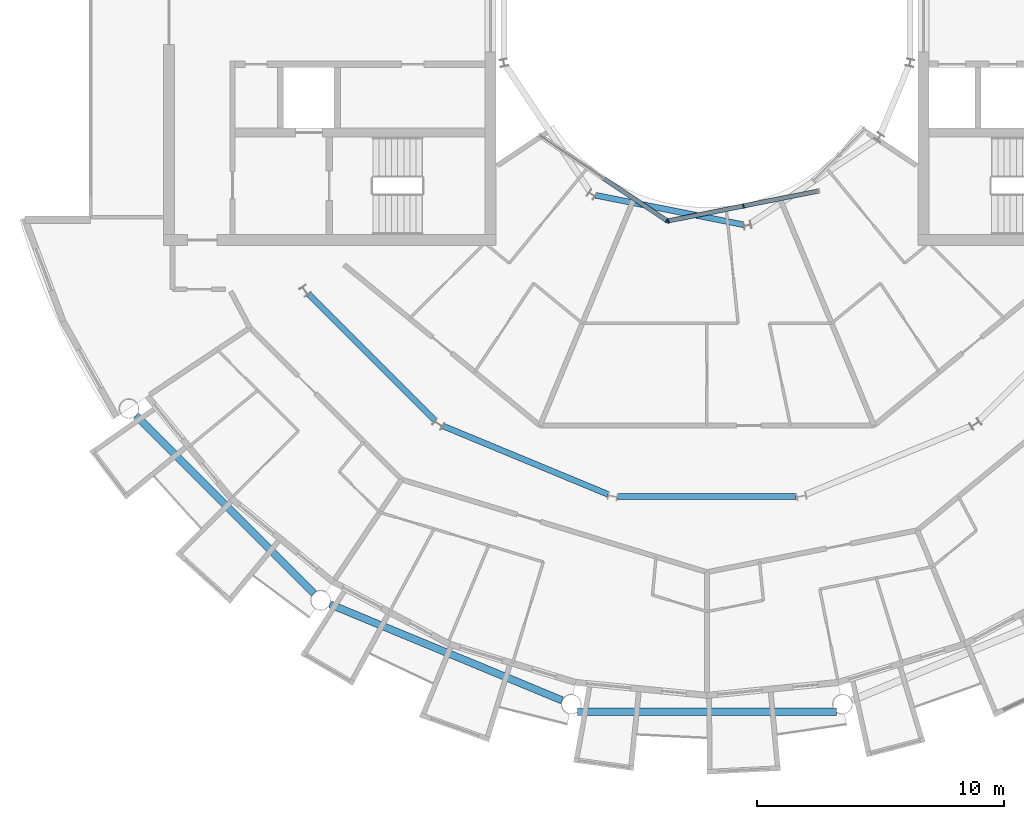
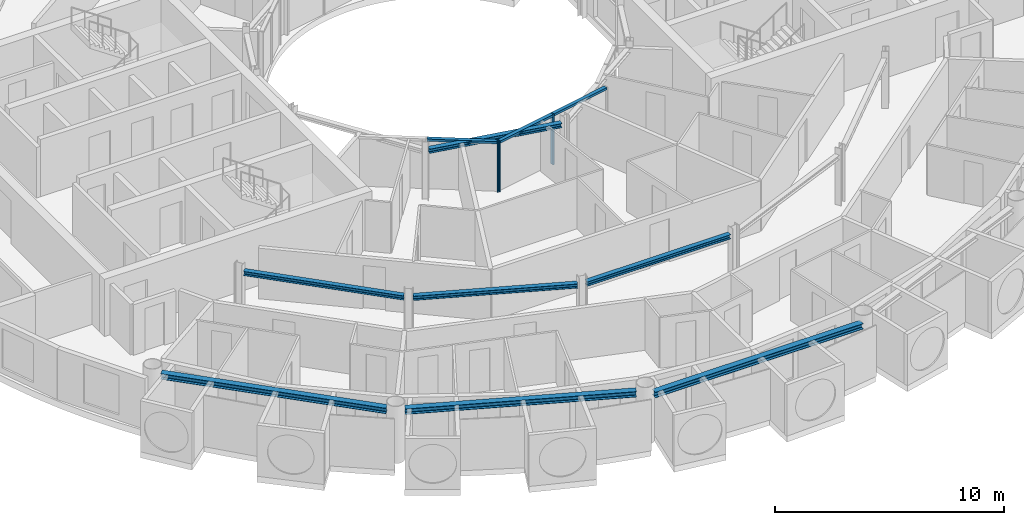
# One storey, part 6 of 27: 7 beams, 6 members, 2 elements without a shape of their own.
"""IFC4 building model written with IfcOpenShell, lengths in metres."""

import ifcopenshell
import ifcopenshell.guid

model = None  # the IFC model being written
_history = None  # IfcOwnerHistory: only IFC2X3 demands one
_inside = {}  # id of a spatial element -> (the spatial element, [elements in it])
_under = {}  # id of a project, library or spatial element -> (it, [spatial elements below it])
_declared = {}  # id of a project -> (the project, [libraries it declares])
_typed = {}  # id of a type object -> (the type object, [elements of that type])
_made_of = {}  # id of a material, layer set ... -> (it, [elements and type objects made of it])


def new_model(schema):
    """Start an empty IFC model of exactly this schema.

    Asked for "IFC4X3", IfcOpenShell would pick the latest addendum, in which some entities
    have other attributes; the version numbers below select the first issue.
    IFC2X3 requires an IfcOwnerHistory on every rooted entity: one is made here for all.
    """
    global model, _history
    if schema == "IFC4X3":
        model = ifcopenshell.file(schema_version=(4, 3, 0, 0))
    else:
        model = ifcopenshell.file(schema=schema)
    _inside.clear()
    _under.clear()
    _declared.clear()
    _typed.clear()
    _made_of.clear()
    _history = None
    if model.schema == "IFC2X3":
        org = make("IfcOrganization", Name="unknown")
        user = make(
            "IfcPersonAndOrganization",
            ThePerson=make("IfcPerson", FamilyName="unknown"),
            TheOrganization=org,
        )
        app = make(
            "IfcApplication",
            ApplicationDeveloper=org,
            Version="unknown",
            ApplicationFullName="unknown",
            ApplicationIdentifier="unknown",
        )
        _history = make(
            "IfcOwnerHistory",
            OwningUser=user,
            OwningApplication=app,
            ChangeAction="ADDED",
            CreationDate=0,
        )
    return model


def make(cls, **values):
    """One entity of the class cls with the attributes given. An attribute that is None is left unset."""
    return model.create_entity(
        cls, **{name: value for name, value in values.items() if value is not None}
    )


def rooted(cls, **values):
    """An entity with a GlobalId (a new one), such as an element, a storey or a relation."""
    return make(cls, GlobalId=ifcopenshell.guid.new(), OwnerHistory=_history, **values)


def si_unit(unit_type, name, prefix=None):
    """IfcSIUnit, for example si_unit("LENGTHUNIT", "METRE", prefix="MILLI")."""
    return make("IfcSIUnit", UnitType=unit_type, Prefix=prefix, Name=name)


def assignment(units):
    """IfcUnitAssignment: the units of a project."""
    return None if units is None else make("IfcUnitAssignment", Units=units)


def point(xyz):
    """IfcCartesianPoint."""
    return None if xyz is None else make("IfcCartesianPoint", Coordinates=xyz)


def direction(xyz):
    """IfcDirection."""
    return None if xyz is None else make("IfcDirection", DirectionRatios=xyz)


def frame(location, z_axis=None, x_axis=None):
    """IfcAxis2Placement3D, a coordinate frame: its origin and axes. An axis left out is left unset."""
    return make(
        "IfcAxis2Placement3D",
        Location=point(location),
        Axis=direction(z_axis),
        RefDirection=direction(x_axis),
    )


def frame_2d(location, x_axis=None):
    """IfcAxis2Placement2D, a coordinate frame in the plane: its origin and x axis."""
    return make(
        "IfcAxis2Placement2D", Location=point(location), RefDirection=direction(x_axis)
    )


def origin():
    """The frame at (0, 0, 0) with its axes left unset."""
    return frame((0.0, 0.0, 0.0))


def origin_2d():
    """The frame at (0, 0) in the plane with its x axis left unset."""
    return frame_2d((0.0, 0.0))


def place(relative_to, where):
    """IfcLocalPlacement: puts the frame where relative to a parent placement (None: the world)."""
    return make(
        "IfcLocalPlacement", PlacementRelTo=relative_to, RelativePlacement=where
    )


def context(
    kind, dimensions, precision=None, world=None, true_north=None, identifier=None
):
    """IfcGeometricRepresentationContext, for example the 3D "Model" context."""
    return make(
        "IfcGeometricRepresentationContext",
        ContextIdentifier=identifier,
        ContextType=kind,
        CoordinateSpaceDimension=dimensions,
        Precision=precision,
        WorldCoordinateSystem=world,
        TrueNorth=true_north,
    )


def subcontext(parent, identifier, kind, view, scale=None):
    """IfcGeometricRepresentationSubContext, for example "Body" below "Model"."""
    return make(
        "IfcGeometricRepresentationSubContext",
        ContextIdentifier=identifier,
        ContextType=kind,
        ParentContext=parent,
        TargetScale=scale,
        TargetView=view,
    )


def project(units=None, contexts=None):
    """IfcProject with its units and contexts."""
    return rooted(
        "IfcProject",
        Name="project",
        RepresentationContexts=contexts,
        UnitsInContext=assignment(units),
    )


def spatial(cls, under=None, at=None, **own):
    """A site, building, storey or space (cls), placed at a placement, below another one or the project."""
    s = rooted(cls, ObjectPlacement=at, **own)
    if under is not None:
        _under.setdefault(under.id(), (under, []))[1].append(s)
    return s


def profile(cls, at=None, kind="AREA", **sizes):
    """A parametric profile (cls). Its sizes go by their IFC names, for example OverallWidth=200.0."""
    return make(cls, ProfileType=kind, Position=at, **sizes)


def rectangle(**sizes):
    """IfcRectangleProfileDef."""
    return profile("IfcRectangleProfileDef", **sizes)


def i_section(**sizes):
    """IfcIShapeProfileDef."""
    return profile("IfcIShapeProfileDef", **sizes)


def extrude(swept, where, along, depth):
    """IfcExtrudedAreaSolid: the profile swept, set in the frame where, extruded along a direction by depth."""
    return make(
        "IfcExtrudedAreaSolid",
        SweptArea=swept,
        Position=where,
        ExtrudedDirection=direction(along),
        Depth=depth,
    )


def shape(context_of_items, identifier, shape_type, items):
    """IfcShapeRepresentation: the items that make up one representation, for example the "Body"."""
    return make(
        "IfcShapeRepresentation",
        ContextOfItems=context_of_items,
        RepresentationIdentifier=identifier,
        RepresentationType=shape_type,
        Items=items,
    )


def material(Name=None, Category=None):
    """IfcMaterial."""
    return make("IfcMaterial", Name=Name, Category=Category)


def layer(
    of_material, thickness, ventilated=None, Name=None, Category=None, Priority=None
):
    """IfcMaterialLayer: one layer of a wall or slab, of a material (None: an air gap)."""
    return make(
        "IfcMaterialLayer",
        Material=of_material,
        LayerThickness=thickness,
        IsVentilated=ventilated,
        Name=Name,
        Category=Category,
        Priority=Priority,
    )


def layer_set(layers, Name=None):
    """IfcMaterialLayerSet."""
    return make("IfcMaterialLayerSet", MaterialLayers=layers, LayerSetName=Name)


def material_profile(
    of_material, cross_section, Name=None, Category=None, Priority=None
):
    """IfcMaterialProfile: a cross section and its material."""
    return make(
        "IfcMaterialProfile",
        Name=Name,
        Material=of_material,
        Profile=cross_section,
        Priority=Priority,
        Category=Category,
    )


def profile_set(profiles, Name=None, composite=None):
    """IfcMaterialProfileSet."""
    return make(
        "IfcMaterialProfileSet",
        Name=Name,
        MaterialProfiles=profiles,
        CompositeProfile=composite,
    )


def made_of(thing, what):
    """Note that an element or type object is made of a material, layer set ...; save() writes the relation."""
    if what is not None:
        _made_of.setdefault(what.id(), (what, []))[1].append(thing)
    return thing


def type_object(cls, material=None, **own):
    """A type object (cls), such as IfcWallType, which elements share."""
    return made_of(rooted(cls, **own), material)


def element(
    cls,
    number,
    at=None,
    inside=None,
    cuts=None,
    type_object=None,
    material=None,
    context=None,
    identifier="Body",
    shape_type=None,
    held_by="IfcProductDefinitionShape",
    body=None,
    shapes=None,
    **own,
):
    """One element of the class cls, such as IfcWall. Its Tag is "e" and its number.

    at: its placement. inside: the storey or other place that contains it. cuts: it is an
    opening in that element (IfcRelVoidsElement). A single representation is given by context,
    identifier, shape_type and body (its items); several are given by shapes. held_by: the class
    of the entity that holds the representations. save() writes the other relations.
    """
    e = rooted(cls, Tag="e%d" % number, ObjectPlacement=at, **own)
    if body is not None:
        shapes = [shape(context, identifier, shape_type, body)]
    if shapes is not None:
        e.Representation = make(held_by, Representations=shapes)
    if inside is not None:
        _inside.setdefault(inside.id(), (inside, []))[1].append(e)
    if cuts is not None:
        rooted(
            "IfcRelVoidsElement", RelatingBuildingElement=cuts, RelatedOpeningElement=e
        )
    if type_object is not None:
        _typed.setdefault(type_object.id(), (type_object, []))[1].append(e)
    return made_of(e, material)


def aggregate(whole, parts):
    """IfcRelAggregates: a whole, such as a stair, and the parts it consists of."""
    return rooted("IfcRelAggregates", RelatingObject=whole, RelatedObjects=parts)


def save(model, path):
    """Write the relations noted so far, then the file.

    IfcRelAggregates (storeys below a building ...), IfcRelContainedInSpatialStructure (elements
    in a storey), IfcRelDefinesByType, IfcRelAssociatesMaterial and IfcRelDeclares: one each for
    every whole, place, type object, material and project.
    """
    for whole, parts in _under.values():
        aggregate(whole, parts)
    for where, things in _inside.values():
        rooted(
            "IfcRelContainedInSpatialStructure",
            RelatedElements=things,
            RelatingStructure=where,
        )
    for kind, things in _typed.values():
        rooted("IfcRelDefinesByType", RelatedObjects=things, RelatingType=kind)
    for what, things in _made_of.values():
        rooted("IfcRelAssociatesMaterial", RelatedObjects=things, RelatingMaterial=what)
    for by, libraries in _declared.values():
        rooted("IfcRelDeclares", RelatingContext=by, RelatedDefinitions=libraries)
    model.write(path)


model = new_model("IFC4")

# Units and contexts
model_context = context("Model", 3, precision=1e-05, world=origin(), true_north=direction((0.0, 1.0)))
body_context = subcontext(model_context, "Body", "Model", "MODEL_VIEW")
ifc_project = project(units=[si_unit("LENGTHUNIT", "METRE"), si_unit("AREAUNIT", "SQUARE_METRE"), si_unit("VOLUMEUNIT", "CUBIC_METRE"), si_unit("PLANEANGLEUNIT", "RADIAN"), si_unit("MASSUNIT", "GRAM", prefix="KILO")], contexts=[model_context])

# Site, building, storey
site_placement = place(None, origin())
site = spatial("IfcSite", under=ifc_project, at=site_placement, CompositionType="ELEMENT")
building_placement = place(site_placement, origin())
building = spatial("IfcBuilding", under=site, at=building_placement, Name="Maasbend Ring Residences", CompositionType="ELEMENT")
storey_placement = place(building_placement, frame((0.0, 0.0, 199.35009765625)))
storey = spatial("IfcBuildingStorey", under=building, at=storey_placement, Name="L57", CompositionType="ELEMENT", Elevation=199.35009765625)

# Curtain wall, member
ifc_material_1 = material(Name="Aluminium and clear glass", Category="aluminium")
ifc_layer = layer(ifc_material_1, 0.179931640625)
ifc_layer_set = layer_set([ifc_layer], Name="CW-W")
curtain_wall_type = type_object("IfcCurtainWallType", Name="CW-W", PredefinedType="NOTDEFINED", material=ifc_layer_set)
curtain_wall_1_placement = place(storey_placement, origin())
curtain_wall_1 = element("IfcCurtainWall", 1, at=curtain_wall_1_placement, inside=storey, type_object=curtain_wall_type, Name="Well curtain wall S1", PredefinedType="NOTDEFINED")
ifc_material_2 = material(Name="Aluminium 6063-T6", Category="aluminium")
ifc_material_profile_1 = material_profile(ifc_material_2, rectangle(XDim=0.179931640625, YDim=0.06005859375, at=origin_2d()), Name="AL 180x60")
ifc_profile_set_1 = profile_set([ifc_material_profile_1], Name="Aluminium 6063-T6")
member_type_1 = type_object("IfcMemberType", Name="CWM-W", PredefinedType="MULLION", material=ifc_profile_set_1)
member_1_placement = place(storey_placement, frame((-1.627685546875, -8.040771484375, 0.0), z_axis=(0.0, 0.0, 1.0), x_axis=(0.55557023302, 0.831469612303, 0.0)))
member_1 = element("IfcMember", 2, at=member_1_placement, type_object=member_type_1, Name="Mullion well face", PredefinedType="MULLION", context=body_context, shape_type="SweptSolid", body=[
    extrude(rectangle(XDim=0.179931640625, YDim=0.06005859375, at=origin_2d()), origin(), (0.0, 0.0, 1.0), 2.699951171875),
])

# Curtain wall, members
curtain_wall_2_placement = place(storey_placement, origin())
curtain_wall_2 = element("IfcCurtainWall", 3, at=curtain_wall_2_placement, inside=storey, type_object=curtain_wall_type, Name="Well curtain wall S2", PredefinedType="NOTDEFINED")
member_2_placement = place(storey_placement, frame((-1.5732421875, -8.0517578125, 0.0), z_axis=(0.0, 0.0, 1.0), x_axis=(-0.195090322016, 0.980785280403, 0.0)))
member_2 = element("IfcMember", 4, at=member_2_placement, type_object=member_type_1, Name="Mullion well face", PredefinedType="MULLION", context=body_context, shape_type="SweptSolid", body=[
    extrude(rectangle(XDim=0.179931640625, YDim=0.06005859375, at=origin_2d()), origin(), (0.0, 0.0, 1.0), 2.699951171875),
])
member_3_placement = place(storey_placement, frame((1.480712890625, -7.444091796875, 0.0), z_axis=(0.0, 0.0, 1.0), x_axis=(-0.195090322016, 0.980785280403, 0.0)))
member_3 = element("IfcMember", 5, at=member_3_placement, type_object=member_type_1, Name="Mullion well face", PredefinedType="MULLION", context=body_context, shape_type="SweptSolid", body=[
    extrude(rectangle(XDim=0.179931640625, YDim=0.06005859375, at=origin_2d()), origin(), (0.0, 0.0, 1.0), 2.699951171875),
])

# Member
ifc_material_3 = material(Name="Aluminium 6063-T6", Category="aluminium")
ifc_material_profile_2 = material_profile(ifc_material_3, rectangle(XDim=0.179931640625, YDim=0.1201171875, at=origin_2d()), Name="AL 180x120")
ifc_profile_set_2 = profile_set([ifc_material_profile_2], Name="Aluminium 6063-T6")
member_type_2 = type_object("IfcMemberType", Name="CWT-W", PredefinedType="USERDEFINED", material=ifc_profile_set_2)
member_4_placement = place(storey_placement, frame((-4.19189453125, -6.32763671875, 2.639892578125), z_axis=(0.831496422459, -0.555530106689, 0.0), x_axis=(0.555530106689, 0.831496422459, 0.0)))
member_4 = element("IfcMember", 6, at=member_4_placement, type_object=member_type_2, Name="Transom well face", ObjectType="TRANSOM", PredefinedType="USERDEFINED", context=body_context, shape_type="SweptSolid", body=[
    extrude(rectangle(XDim=0.179931640625, YDim=0.1201171875, at=origin_2d()), origin(), (0.0, 0.0, 1.0), 3.053955078125),
])

aggregate(curtain_wall_1, [member_1, member_4])

member_5_placement = place(storey_placement, frame((-1.5439453125, -8.0458984375, 2.639892578125), z_axis=(0.980776956105, 0.195132166424, 0.0), x_axis=(-0.195132166424, 0.980776956105, 0.0)))
member_5 = element("IfcMember", 7, at=member_5_placement, type_object=member_type_2, Name="Transom well face", ObjectType="TRANSOM", PredefinedType="USERDEFINED", context=body_context, shape_type="SweptSolid", body=[
    extrude(rectangle(XDim=0.179931640625, YDim=0.1201171875, at=origin_2d()), origin(), (0.0, 0.0, 1.0), 3.053955078125),
])

member_6_placement = place(storey_placement, frame((1.51025390625, -7.438232421875, 2.639892578125), z_axis=(0.980789210404, 0.19507056353, 0.0), x_axis=(-0.19507056353, 0.980789210404, 0.0)))
member_6 = element("IfcMember", 8, at=member_6_placement, type_object=member_type_2, Name="Transom well face", ObjectType="TRANSOM", PredefinedType="USERDEFINED", context=body_context, shape_type="SweptSolid", body=[
    extrude(rectangle(XDim=0.179931640625, YDim=0.1201171875, at=origin_2d()), origin(), (0.0, 0.0, 1.0), 3.0537109375),
])

aggregate(curtain_wall_2, [member_2, member_3, member_5, member_6])

# Beams
ifc_material_4 = material(Name="Steel S355J2", Category="steel")
ifc_material_profile_3 = material_profile(ifc_material_4, i_section(OverallWidth=0.239990234375, OverallDepth=0.22998046875, WebThickness=0.007568359375, FlangeThickness=0.011962890625, FilletRadius=0.02099609375, at=origin_2d()), Name="HEA 240")
ifc_profile_set_3 = profile_set([ifc_material_profile_3], Name="Steel S355J2")
beam_type_1 = type_object("IfcBeamType", Name="Corridor ring beam HEA 240", PredefinedType="BEAM", material=ifc_profile_set_3)
beam_1_placement = place(storey_placement, frame((-16.152587890625, -11.033447265625, 2.5849609375), z_axis=(0.707106781187, -0.707106781187, 0.0), x_axis=(0.707106781187, 0.707106781187, 0.0)))
element("IfcBeam", 9, at=beam_1_placement, inside=storey, type_object=beam_type_1, Name="Corridor ring beam", PredefinedType="BEAM", context=body_context, shape_type="SweptSolid", body=[
    extrude(i_section(OverallWidth=0.239990234375, OverallDepth=0.22998046875, WebThickness=0.007568359375, FlangeThickness=0.011962890625, FilletRadius=0.02099609375, at=origin_2d()), origin(), (0.0, 0.0, 1.0), 7.239501953125),
])
for number, where, z_axis, x_axis, name in (
    (10, (-10.70068359375, -16.374755859375, 2.5849609375), (0.923865162022, -0.382718123952, 0.0), (0.382718123952, 0.923865162022, 0.0), "Corridor ring beam"),
    (11, (-3.619873046875, -19.223388671875, 2.5849609375), (1.0, 0.0, 0.0), (0.0, 1.0, 0.0), "Corridor ring beam"),
):
    element("IfcBeam", number, at=place(storey_placement, frame(where, z_axis=z_axis, x_axis=x_axis)), inside=storey, type_object=beam_type_1, Name=name, PredefinedType="BEAM", context=body_context, shape_type="SweptSolid", body=[
        extrude(i_section(OverallWidth=0.239990234375, OverallDepth=0.22998046875, WebThickness=0.007568359375, FlangeThickness=0.011962890625, FilletRadius=0.02099609375, at=origin_2d()), origin(), (0.0, 0.0, 1.0), 7.23974609375),
    ])
ifc_material_5 = material(Name="Steel S355J2", Category="steel")
ifc_material_profile_4 = material_profile(ifc_material_5, i_section(OverallWidth=0.300048828125, OverallDepth=0.300048828125, WebThickness=0.010986328125, FlangeThickness=0.01904296875, FilletRadius=0.027099609375, at=origin_2d()), Name="HEB 300")
ifc_profile_set_4 = profile_set([ifc_material_profile_4], Name="Steel S355J2")
beam_type_2 = type_object("IfcBeamType", Name="Spandrel ring beam HEB 300", PredefinedType="SPANDREL", material=ifc_profile_set_4)
for number, where, z_axis, x_axis, name in (
    (12, (-23.159912109375, -15.95458984375, 2.5498046875), (0.707106781187, -0.707106781187, 0.0), (0.707106781187, 0.707106781187, 0.0), "Spandrel ring beam"),
    (13, (-15.29150390625, -23.60302734375, 2.5498046875), (0.923883676188, -0.382673428492, 0.0), (0.382673428492, 0.923883676188, 0.0), "Spandrel ring beam"),
):
    element("IfcBeam", number, at=place(storey_placement, frame(where, z_axis=z_axis, x_axis=x_axis)), inside=storey, type_object=beam_type_2, Name=name, PredefinedType="SPANDREL", context=body_context, shape_type="SweptSolid", body=[
        extrude(i_section(OverallWidth=0.300048828125, OverallDepth=0.300048828125, WebThickness=0.010986328125, FlangeThickness=0.01904296875, FilletRadius=0.027099609375, at=origin_2d()), origin(), (0.0, 0.0, 1.0), 10.18994140625),
    ])
beam_2_placement = place(storey_placement, frame((-5.2451171875, -27.9580078125, 2.5498046875), z_axis=(1.0, 0.0, 0.0), x_axis=(0.0, 1.0, 0.0)))
element("IfcBeam", 14, at=beam_2_placement, inside=storey, type_object=beam_type_2, Name="Spandrel ring beam", PredefinedType="SPANDREL", context=body_context, shape_type="SweptSolid", body=[
    extrude(i_section(OverallWidth=0.300048828125, OverallDepth=0.300048828125, WebThickness=0.010986328125, FlangeThickness=0.01904296875, FilletRadius=0.027099609375, at=origin_2d()), origin(), (0.0, 0.0, 1.0), 10.490234375),
])
ifc_material_6 = material(Name="Steel S355J2", Category="steel")
ifc_material_profile_5 = material_profile(ifc_material_6, i_section(OverallWidth=0.239990234375, OverallDepth=0.22998046875, WebThickness=0.007568359375, FlangeThickness=0.011962890625, FilletRadius=0.02099609375, at=origin_2d()), Name="HEA 240")
ifc_profile_set_5 = profile_set([ifc_material_profile_5], Name="Steel S355J2")
beam_type_3 = type_object("IfcBeamType", Name="Well edge beam HEA 240", PredefinedType="BEAM", material=ifc_profile_set_5)
beam_3_placement = place(storey_placement, frame((-4.512939453125, -7.014892578125, 2.5849609375), z_axis=(0.980782836869, -0.195102606089, 0.0), x_axis=(0.195102606089, 0.980782836869, 0.0)))
element("IfcBeam", 15, at=beam_3_placement, inside=storey, type_object=beam_type_3, Name="Well edge beam", PredefinedType="BEAM", context=body_context, shape_type="SweptSolid", body=[
    extrude(i_section(OverallWidth=0.239990234375, OverallDepth=0.22998046875, WebThickness=0.007568359375, FlangeThickness=0.011962890625, FilletRadius=0.02099609375, at=origin_2d()), origin(), (0.0, 0.0, 1.0), 6.115234375),
])

save(model, "model.ifc")
